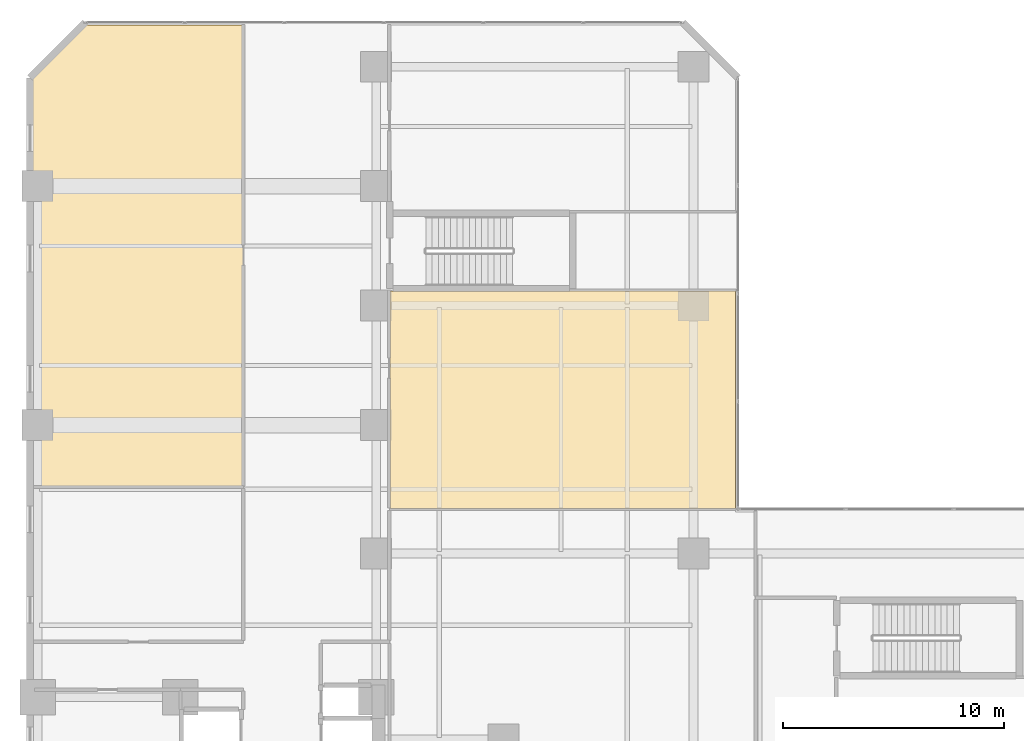
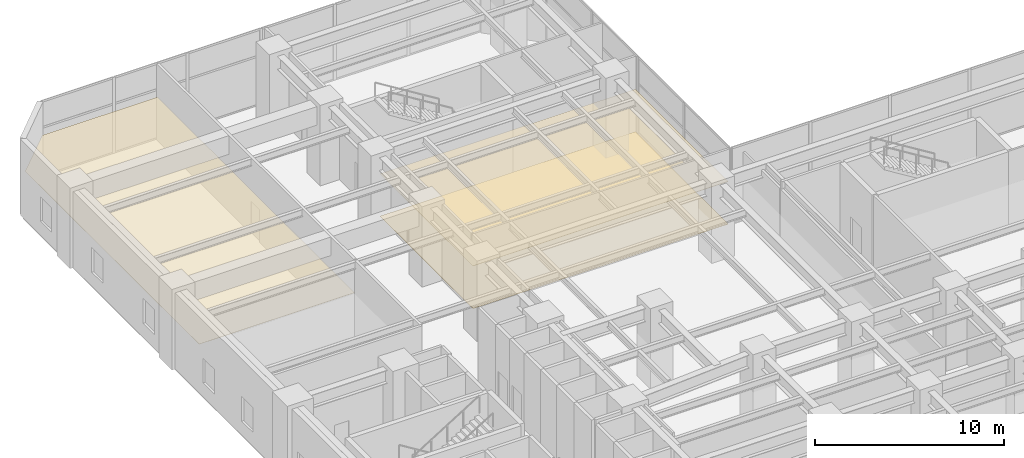
# One storey, part 28 of 29: 3 coverings.
"""IFC4 building model written with IfcOpenShell, lengths in metres."""

import ifcopenshell
import ifcopenshell.guid

model = None  # the IFC model being written
_history = None  # IfcOwnerHistory: only IFC2X3 demands one
_inside = {}  # id of a spatial element -> (the spatial element, [elements in it])
_under = {}  # id of a project, library or spatial element -> (it, [spatial elements below it])
_declared = {}  # id of a project -> (the project, [libraries it declares])
_typed = {}  # id of a type object -> (the type object, [elements of that type])
_made_of = {}  # id of a material, layer set ... -> (it, [elements and type objects made of it])


def new_model(schema):
    """Start an empty IFC model of exactly this schema.

    Asked for "IFC4X3", IfcOpenShell would pick the latest addendum, in which some entities
    have other attributes; the version numbers below select the first issue.
    IFC2X3 requires an IfcOwnerHistory on every rooted entity: one is made here for all.
    """
    global model, _history
    if schema == "IFC4X3":
        model = ifcopenshell.file(schema_version=(4, 3, 0, 0))
    else:
        model = ifcopenshell.file(schema=schema)
    _inside.clear()
    _under.clear()
    _declared.clear()
    _typed.clear()
    _made_of.clear()
    _history = None
    if model.schema == "IFC2X3":
        org = make("IfcOrganization", Name="unknown")
        user = make(
            "IfcPersonAndOrganization",
            ThePerson=make("IfcPerson", FamilyName="unknown"),
            TheOrganization=org,
        )
        app = make(
            "IfcApplication",
            ApplicationDeveloper=org,
            Version="unknown",
            ApplicationFullName="unknown",
            ApplicationIdentifier="unknown",
        )
        _history = make(
            "IfcOwnerHistory",
            OwningUser=user,
            OwningApplication=app,
            ChangeAction="ADDED",
            CreationDate=0,
        )
    return model


def make(cls, **values):
    """One entity of the class cls with the attributes given. An attribute that is None is left unset."""
    return model.create_entity(
        cls, **{name: value for name, value in values.items() if value is not None}
    )


def rooted(cls, **values):
    """An entity with a GlobalId (a new one), such as an element, a storey or a relation."""
    return make(cls, GlobalId=ifcopenshell.guid.new(), OwnerHistory=_history, **values)


def si_unit(unit_type, name, prefix=None):
    """IfcSIUnit, for example si_unit("LENGTHUNIT", "METRE", prefix="MILLI")."""
    return make("IfcSIUnit", UnitType=unit_type, Prefix=prefix, Name=name)


def assignment(units):
    """IfcUnitAssignment: the units of a project."""
    return None if units is None else make("IfcUnitAssignment", Units=units)


def point(xyz):
    """IfcCartesianPoint."""
    return None if xyz is None else make("IfcCartesianPoint", Coordinates=xyz)


def direction(xyz):
    """IfcDirection."""
    return None if xyz is None else make("IfcDirection", DirectionRatios=xyz)


def frame(location, z_axis=None, x_axis=None):
    """IfcAxis2Placement3D, a coordinate frame: its origin and axes. An axis left out is left unset."""
    return make(
        "IfcAxis2Placement3D",
        Location=point(location),
        Axis=direction(z_axis),
        RefDirection=direction(x_axis),
    )


def origin():
    """The frame at (0, 0, 0) with its axes left unset."""
    return frame((0.0, 0.0, 0.0))


def place(relative_to, where):
    """IfcLocalPlacement: puts the frame where relative to a parent placement (None: the world)."""
    return make(
        "IfcLocalPlacement", PlacementRelTo=relative_to, RelativePlacement=where
    )


def context(
    kind, dimensions, precision=None, world=None, true_north=None, identifier=None
):
    """IfcGeometricRepresentationContext, for example the 3D "Model" context."""
    return make(
        "IfcGeometricRepresentationContext",
        ContextIdentifier=identifier,
        ContextType=kind,
        CoordinateSpaceDimension=dimensions,
        Precision=precision,
        WorldCoordinateSystem=world,
        TrueNorth=true_north,
    )


def subcontext(parent, identifier, kind, view, scale=None):
    """IfcGeometricRepresentationSubContext, for example "Body" below "Model"."""
    return make(
        "IfcGeometricRepresentationSubContext",
        ContextIdentifier=identifier,
        ContextType=kind,
        ParentContext=parent,
        TargetScale=scale,
        TargetView=view,
    )


def project(units=None, contexts=None):
    """IfcProject with its units and contexts."""
    return rooted(
        "IfcProject",
        Name="project",
        RepresentationContexts=contexts,
        UnitsInContext=assignment(units),
    )


def spatial(cls, under=None, at=None, **own):
    """A site, building, storey or space (cls), placed at a placement, below another one or the project."""
    s = rooted(cls, ObjectPlacement=at, **own)
    if under is not None:
        _under.setdefault(under.id(), (under, []))[1].append(s)
    return s


def polyline(points):
    """IfcPolyline through the points."""
    return make("IfcPolyline", Points=[point(p) for p in points])


def outline(outer, holes=None, kind="AREA"):
    """IfcArbitraryClosedProfileDef: a profile drawn as a closed curve; with holes, ...WithVoids."""
    if holes is None:
        return make("IfcArbitraryClosedProfileDef", ProfileType=kind, OuterCurve=outer)
    return make(
        "IfcArbitraryProfileDefWithVoids",
        ProfileType=kind,
        OuterCurve=outer,
        InnerCurves=holes,
    )


def extrude(swept, where, along, depth):
    """IfcExtrudedAreaSolid: the profile swept, set in the frame where, extruded along a direction by depth."""
    return make(
        "IfcExtrudedAreaSolid",
        SweptArea=swept,
        Position=where,
        ExtrudedDirection=direction(along),
        Depth=depth,
    )


def shape(context_of_items, identifier, shape_type, items):
    """IfcShapeRepresentation: the items that make up one representation, for example the "Body"."""
    return make(
        "IfcShapeRepresentation",
        ContextOfItems=context_of_items,
        RepresentationIdentifier=identifier,
        RepresentationType=shape_type,
        Items=items,
    )


def material(Name=None, Category=None):
    """IfcMaterial."""
    return make("IfcMaterial", Name=Name, Category=Category)


def layer(
    of_material, thickness, ventilated=None, Name=None, Category=None, Priority=None
):
    """IfcMaterialLayer: one layer of a wall or slab, of a material (None: an air gap)."""
    return make(
        "IfcMaterialLayer",
        Material=of_material,
        LayerThickness=thickness,
        IsVentilated=ventilated,
        Name=Name,
        Category=Category,
        Priority=Priority,
    )


def layer_set(layers, Name=None):
    """IfcMaterialLayerSet."""
    return make("IfcMaterialLayerSet", MaterialLayers=layers, LayerSetName=Name)


def made_of(thing, what):
    """Note that an element or type object is made of a material, layer set ...; save() writes the relation."""
    if what is not None:
        _made_of.setdefault(what.id(), (what, []))[1].append(thing)
    return thing


def type_object(cls, material=None, **own):
    """A type object (cls), such as IfcWallType, which elements share."""
    return made_of(rooted(cls, **own), material)


def element(
    cls,
    number,
    at=None,
    inside=None,
    cuts=None,
    type_object=None,
    material=None,
    context=None,
    identifier="Body",
    shape_type=None,
    held_by="IfcProductDefinitionShape",
    body=None,
    shapes=None,
    **own,
):
    """One element of the class cls, such as IfcWall. Its Tag is "e" and its number.

    at: its placement. inside: the storey or other place that contains it. cuts: it is an
    opening in that element (IfcRelVoidsElement). A single representation is given by context,
    identifier, shape_type and body (its items); several are given by shapes. held_by: the class
    of the entity that holds the representations. save() writes the other relations.
    """
    e = rooted(cls, Tag="e%d" % number, ObjectPlacement=at, **own)
    if body is not None:
        shapes = [shape(context, identifier, shape_type, body)]
    if shapes is not None:
        e.Representation = make(held_by, Representations=shapes)
    if inside is not None:
        _inside.setdefault(inside.id(), (inside, []))[1].append(e)
    if cuts is not None:
        rooted(
            "IfcRelVoidsElement", RelatingBuildingElement=cuts, RelatedOpeningElement=e
        )
    if type_object is not None:
        _typed.setdefault(type_object.id(), (type_object, []))[1].append(e)
    return made_of(e, material)


def aggregate(whole, parts):
    """IfcRelAggregates: a whole, such as a stair, and the parts it consists of."""
    return rooted("IfcRelAggregates", RelatingObject=whole, RelatedObjects=parts)


def save(model, path):
    """Write the relations noted so far, then the file.

    IfcRelAggregates (storeys below a building ...), IfcRelContainedInSpatialStructure (elements
    in a storey), IfcRelDefinesByType, IfcRelAssociatesMaterial and IfcRelDeclares: one each for
    every whole, place, type object, material and project.
    """
    for whole, parts in _under.values():
        aggregate(whole, parts)
    for where, things in _inside.values():
        rooted(
            "IfcRelContainedInSpatialStructure",
            RelatedElements=things,
            RelatingStructure=where,
        )
    for kind, things in _typed.values():
        rooted("IfcRelDefinesByType", RelatedObjects=things, RelatingType=kind)
    for what, things in _made_of.values():
        rooted("IfcRelAssociatesMaterial", RelatedObjects=things, RelatingMaterial=what)
    for by, libraries in _declared.values():
        rooted("IfcRelDeclares", RelatingContext=by, RelatedDefinitions=libraries)
    model.write(path)


model = new_model("IFC4")

# Units and contexts
model_context = context("Model", 3, precision=1e-05, world=origin(), true_north=direction((0.0, 1.0)))
body_context = subcontext(model_context, "Body", "Model", "MODEL_VIEW")
ifc_project = project(units=[si_unit("LENGTHUNIT", "METRE"), si_unit("AREAUNIT", "SQUARE_METRE"), si_unit("VOLUMEUNIT", "CUBIC_METRE"), si_unit("PLANEANGLEUNIT", "RADIAN"), si_unit("MASSUNIT", "GRAM", prefix="KILO")], contexts=[model_context])

# Site, building, storey
site_placement = place(None, origin())
site = spatial("IfcSite", under=ifc_project, at=site_placement, CompositionType="ELEMENT")
building_placement = place(site_placement, origin())
building = spatial("IfcBuilding", under=site, at=building_placement, Name="Mawjaban Terraces University", CompositionType="ELEMENT")
storey_placement = place(building_placement, frame((0.0, 0.0, 15.60009765625)))
storey = spatial("IfcBuildingStorey", under=building, at=storey_placement, Name="L03", CompositionType="ELEMENT", Elevation=15.60009765625)

# Coverings
ifc_material_1 = material(Name="Acoustic mineral fibre ceiling tile", Category="masonry")
ifc_layer_1 = layer(ifc_material_1, 0.02001953125)
ifc_layer_set_1 = layer_set([ifc_layer_1], Name="Acoustic mineral fibre ceiling tile")
covering_type_1 = type_object("IfcCoveringType", Name="AcousticMineralCeiling_20", PredefinedType="CEILING", material=ifc_layer_set_1)
covering_1_placement = place(storey_placement, frame((0.0, 0.0, 2.75)))
element("IfcCovering", 1, at=covering_1_placement, inside=storey, type_object=covering_type_1, Name="L03 Library Cataloguing and Faculty Office Acoustic Ceiling", PredefinedType="CEILING", context=body_context, shape_type="SweptSolid", body=[
    extrude(outline(polyline([(31.6201171875, 53.885009765625), (24.547119140625, 53.885009765625), (22.114990234375, 51.452880859375), (22.114990234375, 33.030029296875), (31.6201171875, 33.030029296875), (31.6201171875, 53.885009765625)])), origin(), (0.0, 0.0, 1.0), 0.02001953125),
])
covering_2_placement = place(storey_placement, frame((0.0, 0.0, 2.75)))
element("IfcCovering", 2, at=covering_2_placement, inside=storey, type_object=covering_type_1, Name="L03 Digital Scholarship Reading Hall Acoustic Ceiling", PredefinedType="CEILING", context=body_context, shape_type="SweptSolid", body=[
    extrude(outline(polyline([(53.885009765625, 32.030029296875), (53.885009765625, 41.8701171875), (38.280029296875, 41.8701171875), (38.280029296875, 32.030029296875), (53.885009765625, 32.030029296875)])), origin(), (0.0, 0.0, 1.0), 0.02001953125),
])
ifc_material_2 = material(Name="Polished Hijazi granite terrazzo flooring", Category="masonry")
ifc_layer_2 = layer(ifc_material_2, 0.02490234375)
ifc_layer_set_2 = layer_set([ifc_layer_2], Name="Polished Hijazi granite terrazzo flooring")
covering_type_2 = type_object("IfcCoveringType", Name="TerrazzoConcourseFlooring_25", PredefinedType="FLOORING", material=ifc_layer_set_2)
covering_3_placement = place(storey_placement, origin())
element("IfcCovering", 3, at=covering_3_placement, inside=storey, type_object=covering_type_2, Name="L03 Digital Scholarship Reading Hall Terrazzo Flooring", PredefinedType="FLOORING", context=body_context, shape_type="SweptSolid", body=[
    extrude(outline(polyline([(53.885009765625, 32.030029296875), (53.885009765625, 41.8701171875), (38.280029296875, 41.8701171875), (38.280029296875, 32.030029296875), (53.885009765625, 32.030029296875)])), origin(), (0.0, 0.0, 1.0), 0.02490234375),
])

save(model, "model.ifc")
